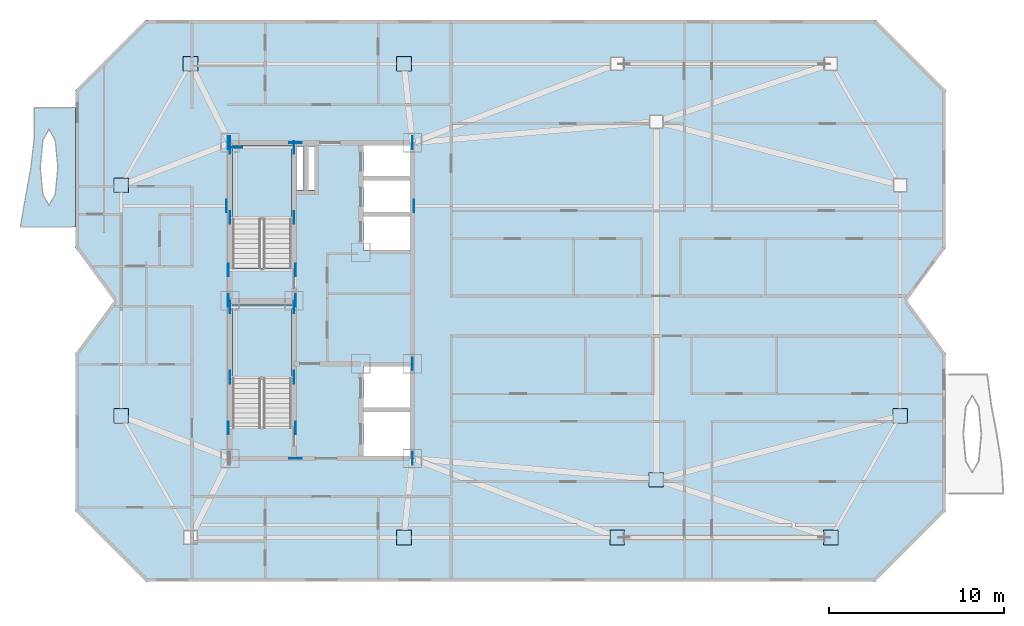
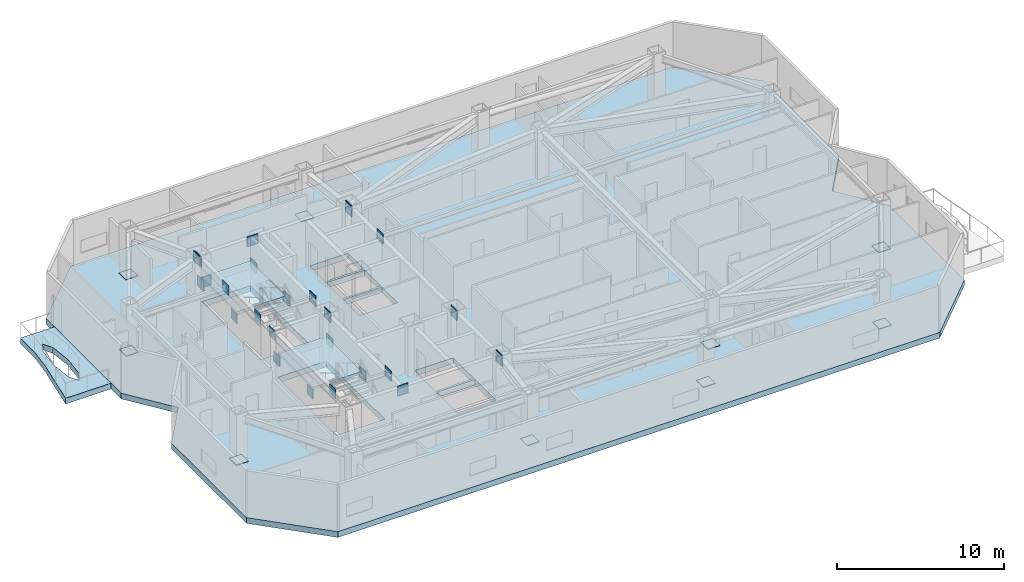
# One storey, part 2 of 10: 35 plates, 4 slabs, 2 elements without a shape of their own.
"""IFC4 building model written with IfcOpenShell, lengths in metres."""

from ifc_helpers import new_model, si_unit, direction, frame, origin, origin_2d, place, context, subcontext, project, spatial, polyline, rectangle, outline, extrude, material, layer, layer_set, type_object, element, aggregate, save


model = new_model("IFC4")

# Units and contexts
model_context = context("Model", 3, precision=1e-05, world=origin(), true_north=direction((0.0, 1.0)))
body_context = subcontext(model_context, "Body", "Model", "MODEL_VIEW")
ifc_project = project(units=[si_unit("LENGTHUNIT", "METRE"), si_unit("AREAUNIT", "SQUARE_METRE"), si_unit("VOLUMEUNIT", "CUBIC_METRE"), si_unit("PLANEANGLEUNIT", "RADIAN"), si_unit("MASSUNIT", "GRAM", prefix="KILO")], contexts=[model_context])

# Site, building, storey
site_placement = place(None, origin())
site = spatial("IfcSite", under=ifc_project, at=site_placement, CompositionType="ELEMENT")
building_placement = place(site_placement, origin())
building = spatial("IfcBuilding", under=site, at=building_placement, Name="Khamvora Tower", CompositionType="ELEMENT")
storey_placement = place(building_placement, frame((0.0, 0.0, 217.199951171875)))
storey = spatial("IfcBuildingStorey", under=building, at=storey_placement, Name="L55", CompositionType="ELEMENT", Elevation=217.199951171875)

# Plates
ifc_material_1 = material(Name="Steel S355", Category="steel")
ifc_layer_1 = layer(ifc_material_1, 0.02490234375)
ifc_layer_set_1 = layer_set([ifc_layer_1], Name="Steel S355")
plate_type_1 = type_object("IfcPlateType", Name="PL-CAP-25", PredefinedType="SHEET", material=ifc_layer_set_1)
for number, where, z_axis, x_axis, name in (
    (1, (38.919921875, 14.5, -0.00048828125), (0.0, 0.0, 1.0), (1.0, 0.0, 0.0), "L55 hollow section steel end cap plate 0232"),
    (2, (51.080078125, 14.5, -0.00048828125), (0.0, 0.0, 1.0), (1.0, 0.0, 0.0), "L55 hollow section steel end cap plate 0234"),
    (3, (63.25, 14.5, -0.00048828125), (0.0, 0.0, 1.0), (1.0, 0.0, 0.0), "L55 hollow section steel end cap plate 0236"),
    (4, (26.75, 41.5, -0.00048828125), (0.0, 0.0, 1.0), (1.0, 0.0, 0.0), "L55 hollow section steel end cap plate 0238"),
    (5, (38.919921875, 41.5, -0.00048828125), (0.0, 0.0, 1.0), (1.0, 0.0, 0.0), "L55 hollow section steel end cap plate 0240"),
    (6, (22.800048828125, 21.429931640625, -0.00048828125), (0.0, 0.0, 1.0), (1.0, 0.0, 0.0), "L55 hollow section steel end cap plate 0246"),
    (7, (22.800048828125, 34.580078125, -0.00048828125), (0.0, 0.0, 1.0), (1.0, 0.0, 0.0), "L55 hollow section steel end cap plate 0248"),
    (8, (67.199951171875, 21.429931640625, -0.00048828125), (0.0, 0.0, 1.0), (1.0, 0.0, 0.0), "L55 hollow section steel end cap plate 0250"),
    (9, (53.300048828125, 17.800048828125, -0.00048828125), (0.0, 0.0, 1.0), (1.0, 0.0, 0.0), "L55 hollow section steel end cap plate 0254"),
):
    element("IfcPlate", number, at=place(storey_placement, frame(where, z_axis=z_axis, x_axis=x_axis)), inside=storey, type_object=plate_type_1, Name=name, PredefinedType="SHEET", context=body_context, shape_type="SweptSolid", body=[
        extrude(rectangle(XDim=0.830078125, YDim=0.830078125, at=origin_2d()), origin(), (0.0, 0.0, 1.0), 0.02490234375),
    ])
ifc_material_2 = material(Name="Steel S460", Category="steel")
ifc_layer_2 = layer(ifc_material_2, 0.034912109375)
ifc_layer_set_2 = layer_set([ifc_layer_2], Name="Steel S460")
plate_type_2 = type_object("IfcPlateType", Name="PL-EMB-35", PredefinedType="SHEET", material=ifc_layer_set_2)
for number, where, z_axis, x_axis, name in (
    (10, (29.0, 23.635009765625, 1.13427734375), (0.0, 0.0, 1.0), (1.0, 0.0, 0.0), "L55 core shear wall cast-in embed plate 1602"),
    (11, (32.64990234375, 23.635009765625, 1.13427734375), (0.0, 0.0, 1.0), (1.0, 0.0, 0.0), "L55 core shear wall cast-in embed plate 1603"),
    (12, (29.0, 27.6298828125, 1.13427734375), (0.0, 0.0, 1.0), (1.0, 0.0, 0.0), "L55 core shear wall cast-in embed plate 1604"),
    (13, (32.64990234375, 27.6298828125, 1.13427734375), (0.0, 0.0, 1.0), (1.0, 0.0, 0.0), "L55 core shear wall cast-in embed plate 1605"),
    (14, (29.0, 32.735107421875, 1.13427734375), (0.0, 0.0, 1.0), (1.0, 0.0, 0.0), "L55 core shear wall cast-in embed plate 1606"),
    (15, (32.64990234375, 32.735107421875, 1.13427734375), (0.0, 0.0, 1.0), (1.0, 0.0, 0.0), "L55 core shear wall cast-in embed plate 1607"),
    (16, (29.0, 36.72998046875, 1.13427734375), (0.0, 0.0, 1.0), (1.0, 0.0, 0.0), "L55 core shear wall cast-in embed plate 1608"),
    (17, (32.64990234375, 36.72998046875, 1.13427734375), (0.0, 0.0, 1.0), (1.0, 0.0, 0.0), "L55 core shear wall cast-in embed plate 1609"),
):
    element("IfcPlate", number, at=place(storey_placement, frame(where, z_axis=z_axis, x_axis=x_axis)), inside=storey, type_object=plate_type_2, Name=name, PredefinedType="SHEET", context=body_context, shape_type="SweptSolid", body=[
        extrude(rectangle(XDim=0.034912109375, YDim=0.719970703125, at=origin_2d()), origin(), (0.0, 0.0, 1.0), 0.719970703125),
    ])
plate_1_placement = place(storey_placement, frame((29.35009765625, 36.72998046875, 1.13427734375), z_axis=(0.0, 0.0, 1.0), x_axis=(1.0, 0.0, 0.0)))
element("IfcPlate", 18, at=plate_1_placement, inside=storey, type_object=plate_type_2, Name="L55 core shear wall cast-in embed plate 1610", PredefinedType="SHEET", context=body_context, shape_type="SweptSolid", body=[
    extrude(rectangle(XDim=0.719970703125, YDim=0.034912109375, at=origin_2d()), origin(), (0.0, 0.0, 1.0), 0.719970703125),
])
for number, where, z_axis, x_axis, name in (
    (19, (39.39990234375, 19.0, 2.72216796875), (0.0, 0.0, 1.0), (1.0, 0.0, 0.0), "L55 core shear wall cast-in embed plate 1612"),
    (20, (29.0, 37.0, 2.72216796875), (0.0, 0.0, 1.0), (1.0, 0.0, 0.0), "L55 core shear wall cast-in embed plate 1613"),
    (21, (39.39990234375, 37.0, 2.72216796875), (0.0, 0.0, 1.0), (1.0, 0.0, 0.0), "L55 core shear wall cast-in embed plate 1614"),
    (22, (28.89990234375, 28.0, 2.80322265625), (0.0, 0.0, 1.0), (1.0, 0.0, 0.0), "L55 core shear wall cast-in embed plate 1616"),
    (23, (28.89990234375, 37.0, 2.80322265625), (0.0, 0.0, 1.0), (1.0, 0.0, 0.0), "L55 core shear wall cast-in embed plate 1617"),
):
    element("IfcPlate", number, at=place(storey_placement, frame(where, z_axis=z_axis, x_axis=x_axis)), inside=storey, type_object=plate_type_2, Name=name, PredefinedType="SHEET", context=body_context, shape_type="SweptSolid", body=[
        extrude(rectangle(XDim=0.034912109375, YDim=0.719970703125, at=origin_2d()), origin(), (0.0, 0.0, 1.0), 0.719970703125),
    ])
plate_2_placement = place(storey_placement, frame((32.72998046875, 19.0, 2.80322265625), z_axis=(0.0, 0.0, 1.0), x_axis=(1.0, 0.0, 0.0)))
element("IfcPlate", 24, at=plate_2_placement, inside=storey, type_object=plate_type_2, Name="L55 core shear wall cast-in embed plate 1618", PredefinedType="SHEET", context=body_context, shape_type="SweptSolid", body=[
    extrude(rectangle(XDim=0.719970703125, YDim=0.034912109375, at=origin_2d()), origin(), (0.0, 0.0, 1.0), 0.719970703125),
])
plate_3_placement = place(storey_placement, frame((32.72998046875, 28.0, 2.80322265625), z_axis=(0.0, 0.0, 1.0), x_axis=(1.0, 0.0, 0.0)))
element("IfcPlate", 25, at=plate_3_placement, inside=storey, type_object=plate_type_2, Name="L55 core shear wall cast-in embed plate 1619", PredefinedType="SHEET", context=body_context, shape_type="SweptSolid", body=[
    extrude(rectangle(XDim=0.034912109375, YDim=0.719970703125, at=origin_2d()), origin(), (0.0, 0.0, 1.0), 0.719970703125),
])
plate_4_placement = place(storey_placement, frame((32.72998046875, 37.0, 2.80322265625), z_axis=(0.0, 0.0, 1.0), x_axis=(1.0, 0.0, 0.0)))
element("IfcPlate", 26, at=plate_4_placement, inside=storey, type_object=plate_type_2, Name="L55 core shear wall cast-in embed plate 1620", PredefinedType="SHEET", context=body_context, shape_type="SweptSolid", body=[
    extrude(rectangle(XDim=0.719970703125, YDim=0.034912109375, at=origin_2d()), origin(), (0.0, 0.0, 1.0), 0.719970703125),
])
for number, where, z_axis, x_axis, name in (
    (27, (39.39990234375, 19.0, 2.80322265625), (0.0, 0.0, 1.0), (1.0, 0.0, 0.0), "L55 core shear wall cast-in embed plate 1621"),
    (28, (39.39990234375, 24.39990234375, 2.80322265625), (0.0, 0.0, 1.0), (1.0, 0.0, 0.0), "L55 core shear wall cast-in embed plate 1622"),
    (29, (39.39990234375, 37.0, 2.80322265625), (0.0, 0.0, 1.0), (1.0, 0.0, 0.0), "L55 core shear wall cast-in embed plate 1623"),
    (30, (28.89990234375, 20.75, 2.94384765625), (0.0, 0.0, 1.0), (1.0, 0.0, 0.0), "L55 core shear wall cast-in embed plate 1624"),
    (31, (32.72998046875, 20.75, 2.94384765625), (0.0, 0.0, 1.0), (1.0, 0.0, 0.0), "L55 core shear wall cast-in embed plate 1625"),
    (32, (28.89990234375, 29.75, 2.94384765625), (0.0, 0.0, 1.0), (1.0, 0.0, 0.0), "L55 core shear wall cast-in embed plate 1626"),
    (33, (32.72998046875, 29.75, 2.94384765625), (0.0, 0.0, 1.0), (1.0, 0.0, 0.0), "L55 core shear wall cast-in embed plate 1627"),
    (34, (28.800048828125, 33.39990234375, 2.89208984375), (0.0, 0.0, 1.0), (1.0, 0.0, 0.0), "L55 core shear wall cast-in embed plate 1628"),
    (35, (39.4990234375, 33.39990234375, 2.89208984375), (0.0, 0.0, 1.0), (1.0, 0.0, 0.0), "L55 core shear wall cast-in embed plate 1629"),
):
    element("IfcPlate", number, at=place(storey_placement, frame(where, z_axis=z_axis, x_axis=x_axis)), inside=storey, type_object=plate_type_2, Name=name, PredefinedType="SHEET", context=body_context, shape_type="SweptSolid", body=[
        extrude(rectangle(XDim=0.034912109375, YDim=0.719970703125, at=origin_2d()), origin(), (0.0, 0.0, 1.0), 0.719970703125),
    ])

# Slabs
ifc_material_3 = material(Name="Concrete C40/50", Category="concrete")
ifc_layer_3 = layer(ifc_material_3, 0.419921875)
ifc_layer_set_3 = layer_set([ifc_layer_3], Name="Concrete C40/50")
slab_type_1 = type_object("IfcSlabType", Name="SLB-BASE-420", PredefinedType="FLOOR", material=ifc_layer_set_3)
slab_1_placement = place(storey_placement, frame((0.0, 0.0, -0.419921875)))
element("IfcSlab", 36, at=slab_1_placement, inside=storey, type_object=slab_type_1, Name="L55 structural floor slab", PredefinedType="FLOOR", context=body_context, shape_type="SweptSolid", body=[
    extrude(outline(polyline([(24.199951171875, 12.0), (65.800048828125, 12.0), (69.800048828125, 16.0), (69.800048828125, 25.0), (67.60009765625, 28.0), (69.800048828125, 31.0), (69.800048828125, 40.0), (65.800048828125, 44.0), (24.199951171875, 44.0), (20.199951171875, 40.0), (20.199951171875, 31.0), (22.39990234375, 28.0), (20.199951171875, 25.0), (20.199951171875, 16.0), (24.199951171875, 12.0)]), holes=[polyline([(32.5, 20.760009765625), (32.5, 27.75), (29.14990234375, 27.75), (29.14990234375, 20.760009765625), (32.5, 20.760009765625)]), polyline([(32.5, 29.860107421875), (32.5, 36.85009765625), (29.14990234375, 36.85009765625), (29.14990234375, 29.860107421875), (32.5, 29.860107421875)]), polyline([(36.60009765625, 19.14990234375), (39.25, 19.14990234375), (39.25, 21.64990234375), (36.60009765625, 21.64990234375), (36.60009765625, 19.14990234375)]), polyline([(36.60009765625, 21.800048828125), (39.25, 21.800048828125), (39.25, 24.25), (36.60009765625, 24.25), (36.60009765625, 21.800048828125)]), polyline([(36.60009765625, 30.89990234375), (39.25, 30.89990234375), (39.25, 32.800048828125), (36.60009765625, 32.800048828125), (36.60009765625, 30.89990234375)]), polyline([(36.60009765625, 32.949951171875), (39.25, 32.949951171875), (39.25, 34.85009765625), (36.60009765625, 34.85009765625), (36.60009765625, 32.949951171875)]), polyline([(36.60009765625, 35.0), (39.25, 35.0), (39.25, 36.85009765625), (36.60009765625, 36.85009765625), (36.60009765625, 35.0)]), polyline([(32.800048828125, 34.300048828125), (33.199951171875, 34.300048828125), (33.199951171875, 36.800048828125), (32.800048828125, 36.800048828125), (32.800048828125, 34.300048828125)]), polyline([(33.47998046875, 34.300048828125), (33.820068359375, 34.300048828125), (33.820068359375, 36.800048828125), (33.47998046875, 36.800048828125), (33.47998046875, 34.300048828125)])]), origin(), (0.0, 0.0, 1.0), 0.419921875),
])
ifc_layer_4 = layer(ifc_material_3, 0.419921875)
ifc_layer_set_4 = layer_set([ifc_layer_4], Name="Concrete C40/50")
slab_type_2 = type_object("IfcSlabType", Name="SLB-GRD-420", PredefinedType="FLOOR", material=ifc_layer_set_4)
slab_2_placement = place(storey_placement, frame((0.0, 0.0, -0.419921875)))
element("IfcSlab", 37, at=slab_2_placement, inside=storey, type_object=slab_type_2, Name="L55 external lens gallery slab WL2", PredefinedType="FLOOR", context=body_context, shape_type="SweptSolid", body=[
    extrude(outline(polyline([(20.199951171875, 32.199951171875), (20.199951171875, 39.0), (17.846923828125, 39.0), (17.85009765625, 37.300048828125), (17.654052734375, 35.60009765625), (17.343994140625, 33.89990234375), (17.052978515625, 32.199951171875), (20.199951171875, 32.199951171875)]), holes=[polyline([(19.18896484375, 35.60009765625), (19.041015625, 37.138916015625), (18.68505859375, 37.77587890625), (18.3291015625, 37.138916015625), (18.180908203125, 35.60009765625), (18.3291015625, 34.06103515625), (18.68505859375, 33.424072265625), (19.041015625, 34.06103515625), (19.18896484375, 35.60009765625)])]), origin(), (0.0, 0.0, 1.0), 0.419921875),
])

# Stair, slab
stair_type_1 = type_object("IfcStairType", Name="STR-ST-01", PredefinedType="HALF_TURN_STAIR", material=ifc_material_3)
stair_1_placement = place(storey_placement, origin())
stair_1 = element("IfcStair", 38, at=stair_1_placement, inside=storey, type_object=stair_type_1, Name="L55 South Tower Exit Stair ST-01", PredefinedType="HALF_TURN_STAIR")
ifc_layer_5 = layer(ifc_material_3, 0.199951171875)
ifc_layer_set_5 = layer_set([ifc_layer_5], Name="Concrete C40/50")
slab_type_3 = type_object("IfcSlabType", Name="SLB-LND-200", PredefinedType="LANDING", material=ifc_layer_set_5)
slab_3_placement = place(storey_placement, frame((0.0, 0.0, 1.625)))
slab_3 = element("IfcSlab", 39, at=slab_3_placement, type_object=slab_type_3, Name="ST-01 landing 1", PredefinedType="LANDING", context=body_context, shape_type="SweptSolid", body=[
    extrude(outline(polyline([(32.5, 23.514892578125), (32.5, 27.75), (29.14990234375, 27.75), (29.14990234375, 23.514892578125), (32.5, 23.514892578125)])), origin(), (0.0, 0.0, 1.0), 0.199951171875),
])
aggregate(stair_1, [slab_3])

stair_type_2 = type_object("IfcStairType", Name="STR-ST-02", PredefinedType="HALF_TURN_STAIR", material=ifc_material_3)
stair_2_placement = place(storey_placement, origin())
stair_2 = element("IfcStair", 40, at=stair_2_placement, inside=storey, type_object=stair_type_2, Name="L55 North Tower Exit Stair ST-02", PredefinedType="HALF_TURN_STAIR")
slab_4_placement = place(storey_placement, frame((0.0, 0.0, 1.625)))
slab_4 = element("IfcSlab", 41, at=slab_4_placement, type_object=slab_type_3, Name="ST-02 landing 1", PredefinedType="LANDING", context=body_context, shape_type="SweptSolid", body=[
    extrude(outline(polyline([(32.5, 32.614990234375), (32.5, 36.85009765625), (29.14990234375, 36.85009765625), (29.14990234375, 32.614990234375), (32.5, 32.614990234375)])), origin(), (0.0, 0.0, 1.0), 0.199951171875),
])
aggregate(stair_2, [slab_4])

save(model, "model.ifc")
